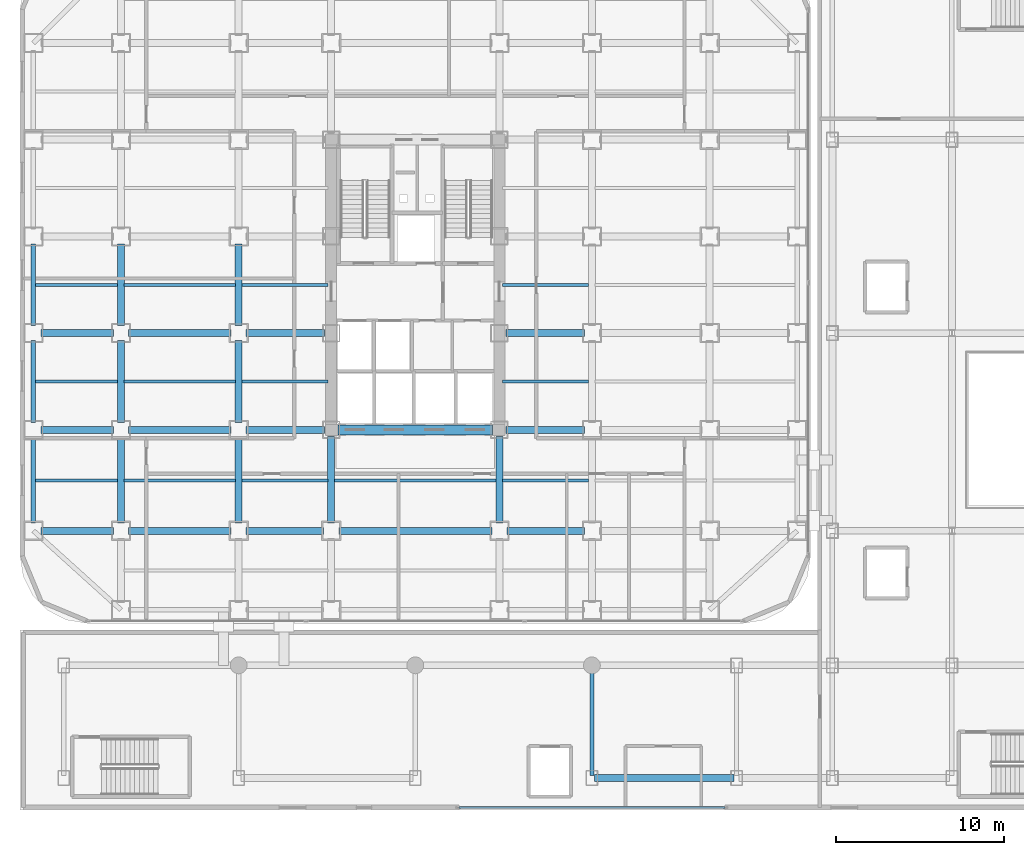
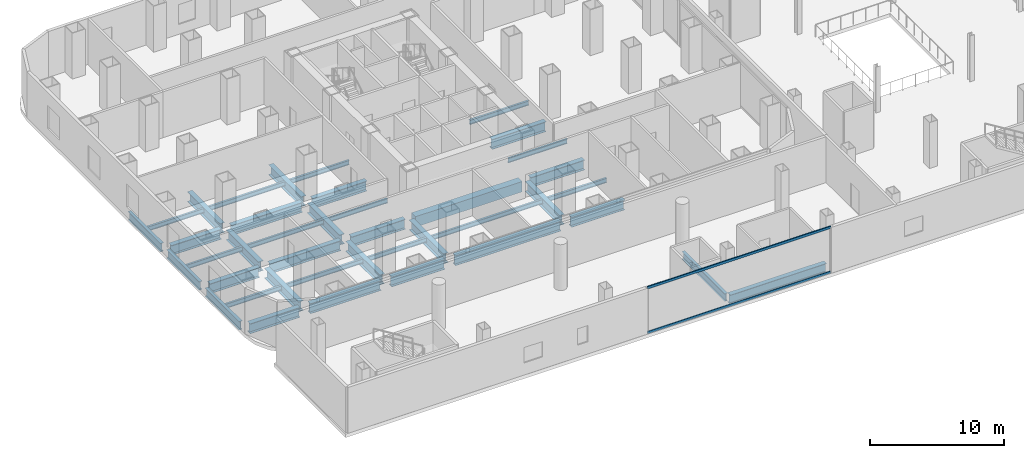
# One storey, part 9 of 26: 40 beams, 2 members, 1 element without a shape of its own.
"""IFC4 building model written with IfcOpenShell, lengths in metres."""

from ifc_helpers import new_model, si_unit, direction, frame, origin, origin_2d, place, context, subcontext, project, spatial, rectangle, hollow_rectangle, i_section, extrude, source, transform, mapped, material, layer, layer_set, material_profile, profile_set, type_object, element, aggregate, save


model = new_model("IFC4")

# Units and contexts
model_context = context("Model", 3, precision=1e-05, world=origin(), true_north=direction((0.0, 1.0)))
body_context = subcontext(model_context, "Body", "Model", "MODEL_VIEW")
ifc_project = project(units=[si_unit("LENGTHUNIT", "METRE"), si_unit("AREAUNIT", "SQUARE_METRE"), si_unit("VOLUMEUNIT", "CUBIC_METRE"), si_unit("PLANEANGLEUNIT", "RADIAN"), si_unit("MASSUNIT", "GRAM", prefix="KILO")], contexts=[model_context])

# Site, building, storey
site_placement = place(None, origin())
site = spatial("IfcSite", under=ifc_project, at=site_placement, CompositionType="ELEMENT")
building_placement = place(site_placement, origin())
building = spatial("IfcBuilding", under=site, at=building_placement, Name="Kolveth Station Tower", CompositionType="ELEMENT")
storey_placement = place(building_placement, frame((0.0, 0.0, 9.0)))
storey = spatial("IfcBuildingStorey", under=building, at=storey_placement, Name="L02", CompositionType="ELEMENT", Elevation=9.0)

# Beams
ifc_material_1 = material(Name="Steel S355", Category="steel")
ifc_material_profile_1 = material_profile(ifc_material_1, i_section(OverallWidth=0.26904296875, OverallDepth=0.77490234375, WebThickness=0.01708984375, FlangeThickness=0.0283203125, at=origin_2d()), Name="W760x220")
ifc_profile_set_1 = profile_set([ifc_material_profile_1], Name="Steel S355")
beam_type_1 = type_object("IfcBeamType", Name="Beam_SP1", PredefinedType="SPANDREL", material=ifc_profile_set_1)
shared_shape_1 = source(origin(), body_context, "Body", "SweptSolid", [
    extrude(i_section(OverallWidth=0.26904296875, OverallDepth=0.77490234375, WebThickness=0.01708984375, FlangeThickness=0.0283203125, at=origin_2d()), origin(), (0.0, 0.0, 1.0), 5.10009765625),
])
beam_1_placement = place(storey_placement, frame((0.800048828125, 5.949951171875, -0.70751953125), z_axis=(0.0, 1.0, 0.0), x_axis=(-1.0, 0.0, 0.0)))
element("IfcBeam", 1, at=beam_1_placement, inside=storey, type_object=beam_type_1, Name="L02 Perimeter Spandrel BM-L02-PW-1", PredefinedType="SPANDREL", context=body_context, shape_type="MappedRepresentation", body=[
    mapped(shared_shape_1, transform((0.0, 0.0, 0.0), x_axis=(1.0, 0.0, 0.0), y_axis=(0.0, 1.0, 0.0), z_axis=(0.0, 0.0, 1.0), scale=1.0)),
])
shared_shape_2 = source(origin(), body_context, "Body", "SweptSolid", [
    extrude(i_section(OverallWidth=0.26904296875, OverallDepth=0.77490234375, WebThickness=0.01708984375, FlangeThickness=0.0283203125, at=origin_2d()), origin(), (0.0, 0.0, 1.0), 4.85009765625),
])
for number, where, z_axis, x_axis, name in (
    (2, (0.800048828125, 11.949951171875, -0.70751953125), (0.0, 1.0, 0.0), (-1.0, 0.0, 0.0), "L02 Perimeter Spandrel BM-L02-PW-2"),
    (3, (0.800048828125, 17.699951171875, -0.70751953125), (0.0, 1.0, 0.0), (-1.0, 0.0, 0.0), "L02 Perimeter Spandrel BM-L02-PW-3"),
):
    element("IfcBeam", number, at=place(storey_placement, frame(where, z_axis=z_axis, x_axis=x_axis)), inside=storey, type_object=beam_type_1, Name=name, PredefinedType="SPANDREL", context=body_context, shape_type="MappedRepresentation", body=[
        mapped(shared_shape_2, transform((0.0, 0.0, 0.0), x_axis=(1.0, 0.0, 0.0), y_axis=(0.0, 1.0, 0.0), z_axis=(0.0, 0.0, 1.0), scale=1.0)),
    ])
ifc_material_profile_2 = material_profile(ifc_material_1, i_section(OverallWidth=0.41796875, OverallDepth=0.912109375, WebThickness=0.019287109375, FlangeThickness=0.031982421875, at=origin_2d()), Name="W920x342")
ifc_profile_set_2 = profile_set([ifc_material_profile_2], Name="Steel S355")
beam_type_2 = type_object("IfcBeamType", Name="Beam_B1", PredefinedType="BEAM", material=ifc_profile_set_2)
shared_shape_3 = source(origin(), body_context, "Body", "SweptSolid", [
    extrude(i_section(OverallWidth=0.41796875, OverallDepth=0.912109375, WebThickness=0.019287109375, FlangeThickness=0.031982421875, at=origin_2d()), origin(), (0.0, 0.0, 1.0), 4.300048828125),
])
for number, where, z_axis, x_axis, name in (
    (4, (1.25, 5.5, -0.77587890625), (1.0, 0.0, 0.0), (0.0, 1.0, 0.0), "L02 Primary Girder BM-L02-GY55-1"),
    (5, (1.25, 11.5, -0.77587890625), (1.0, 0.0, 0.0), (0.0, 1.0, 0.0), "L02 Primary Girder BM-L02-GY115-1"),
    (6, (1.25, 17.25, -0.77587890625), (1.0, 0.0, 0.0), (0.0, 1.0, 0.0), "L02 Primary Girder BM-L02-GY172-1"),
):
    element("IfcBeam", number, at=place(storey_placement, frame(where, z_axis=z_axis, x_axis=x_axis)), inside=storey, type_object=beam_type_2, Name=name, PredefinedType="BEAM", context=body_context, shape_type="MappedRepresentation", body=[
        mapped(shared_shape_3, transform((0.0, 0.0, 0.0), x_axis=(1.0, 0.0, 0.0), y_axis=(0.0, 1.0, 0.0), z_axis=(0.0, 0.0, 1.0), scale=1.0)),
    ])
shared_shape_4 = source(origin(), body_context, "Body", "SweptSolid", [
    extrude(i_section(OverallWidth=0.41796875, OverallDepth=0.912109375, WebThickness=0.019287109375, FlangeThickness=0.031982421875, at=origin_2d()), origin(), (0.0, 0.0, 1.0), 6.10009765625),
])
for number, where, z_axis, x_axis, name in (
    (7, (6.449951171875, 5.5, -0.77587890625), (1.0, 0.0, 0.0), (0.0, 1.0, 0.0), "L02 Primary Girder BM-L02-GY55-2"),
    (8, (6.449951171875, 11.5, -0.77587890625), (1.0, 0.0, 0.0), (0.0, 1.0, 0.0), "L02 Primary Girder BM-L02-GY115-2"),
    (9, (6.449951171875, 17.25, -0.77587890625), (1.0, 0.0, 0.0), (0.0, 1.0, 0.0), "L02 Primary Girder BM-L02-GY172-2"),
):
    element("IfcBeam", number, at=place(storey_placement, frame(where, z_axis=z_axis, x_axis=x_axis)), inside=storey, type_object=beam_type_2, Name=name, PredefinedType="BEAM", context=body_context, shape_type="MappedRepresentation", body=[
        mapped(shared_shape_4, transform((0.0, 0.0, 0.0), x_axis=(1.0, 0.0, 0.0), y_axis=(0.0, 1.0, 0.0), z_axis=(0.0, 0.0, 1.0), scale=1.0)),
    ])
shared_shape_5 = source(origin(), body_context, "Body", "SweptSolid", [
    extrude(i_section(OverallWidth=0.41796875, OverallDepth=0.912109375, WebThickness=0.019287109375, FlangeThickness=0.031982421875, at=origin_2d()), origin(), (0.0, 0.0, 1.0), 4.60009765625),
])
for number, where, z_axis, x_axis, name in (
    (10, (13.449951171875, 5.5, -0.77587890625), (1.0, 0.0, 0.0), (0.0, 1.0, 0.0), "L02 Primary Girder BM-L02-GY55-3"),
    (11, (28.949951171875, 5.5, -0.77587890625), (1.0, 0.0, 0.0), (0.0, 1.0, 0.0), "L02 Primary Girder BM-L02-GY55-5"),
):
    element("IfcBeam", number, at=place(storey_placement, frame(where, z_axis=z_axis, x_axis=x_axis)), inside=storey, type_object=beam_type_2, Name=name, PredefinedType="BEAM", context=body_context, shape_type="MappedRepresentation", body=[
        mapped(shared_shape_5, transform((0.0, 0.0, 0.0), x_axis=(1.0, 0.0, 0.0), y_axis=(0.0, 1.0, 0.0), z_axis=(0.0, 0.0, 1.0), scale=1.0)),
    ])
shared_shape_6 = source(origin(), body_context, "Body", "SweptSolid", [
    extrude(i_section(OverallWidth=0.41796875, OverallDepth=0.912109375, WebThickness=0.019287109375, FlangeThickness=0.031982421875, at=origin_2d()), origin(), (0.0, 0.0, 1.0), 9.10009765625),
])
beam_2_placement = place(storey_placement, frame((18.949951171875, 5.5, -0.77587890625), z_axis=(1.0, 0.0, 0.0), x_axis=(0.0, 1.0, 0.0)))
element("IfcBeam", 12, at=beam_2_placement, inside=storey, type_object=beam_type_2, Name="L02 Primary Girder BM-L02-GY55-4", PredefinedType="BEAM", context=body_context, shape_type="MappedRepresentation", body=[
    mapped(shared_shape_6, transform((0.0, 0.0, 0.0), x_axis=(1.0, 0.0, 0.0), y_axis=(0.0, 1.0, 0.0), z_axis=(0.0, 0.0, 1.0), scale=1.0)),
])
shared_shape_7 = source(origin(), body_context, "Body", "SweptSolid", [
    extrude(i_section(OverallWidth=0.41796875, OverallDepth=0.912109375, WebThickness=0.019287109375, FlangeThickness=0.031982421875, at=origin_2d()), origin(), (0.0, 0.0, 1.0), 4.650146484375),
])
for number, where, z_axis, x_axis, name in (
    (13, (13.449951171875, 11.5, -0.77587890625), (1.0, 0.0, 0.0), (0.0, 1.0, 0.0), "L02 Primary Girder BM-L02-GY115-3"),
    (14, (28.89990234375, 11.5, -0.77587890625), (1.0, 0.0, 0.0), (0.0, 1.0, 0.0), "L02 Primary Girder BM-L02-GY115-5"),
    (15, (13.449951171875, 17.25, -0.77587890625), (1.0, 0.0, 0.0), (0.0, 1.0, 0.0), "L02 Primary Girder BM-L02-GY172-3"),
    (16, (28.89990234375, 17.25, -0.77587890625), (1.0, 0.0, 0.0), (0.0, 1.0, 0.0), "L02 Primary Girder BM-L02-GY172-5"),
):
    element("IfcBeam", number, at=place(storey_placement, frame(where, z_axis=z_axis, x_axis=x_axis)), inside=storey, type_object=beam_type_2, Name=name, PredefinedType="BEAM", context=body_context, shape_type="MappedRepresentation", body=[
        mapped(shared_shape_7, transform((0.0, 0.0, 0.0), x_axis=(1.0, 0.0, 0.0), y_axis=(0.0, 1.0, 0.0), z_axis=(0.0, 0.0, 1.0), scale=1.0)),
    ])
ifc_material_2 = material(Name="Concrete C60/75", Category="concrete")
ifc_material_profile_3 = material_profile(ifc_material_2, rectangle(XDim=0.60009765625, YDim=0.949951171875, at=origin_2d()), Name="RC-600x950")
ifc_profile_set_3 = profile_set([ifc_material_profile_3], Name="Concrete C60/75")
beam_type_3 = type_object("IfcBeamType", Name="Beam_CB1", PredefinedType="BEAM", material=ifc_profile_set_3)
shared_shape_8 = source(origin(), body_context, "Body", "SweptSolid", [
    extrude(rectangle(XDim=0.60009765625, YDim=0.949951171875, at=origin_2d()), origin(), (0.0, 0.0, 1.0), 9.2001953125),
])
beam_3_placement = place(storey_placement, frame((18.89990234375, 11.5, -0.794921875), z_axis=(1.0, 0.0, 0.0), x_axis=(0.0, 1.0, 0.0)))
element("IfcBeam", 17, at=beam_3_placement, inside=storey, type_object=beam_type_3, Name="L02 Core Coupling Beam BM-L02-CB-Y115", PredefinedType="BEAM", context=body_context, shape_type="MappedRepresentation", body=[
    mapped(shared_shape_8, transform((0.0, 0.0, 0.0), x_axis=(1.0, 0.0, 0.0), y_axis=(0.0, 1.0, 0.0), z_axis=(0.0, 0.0, 1.0), scale=1.0)),
])
shared_shape_9 = source(origin(), body_context, "Body", "SweptSolid", [
    extrude(i_section(OverallWidth=0.41796875, OverallDepth=0.912109375, WebThickness=0.019287109375, FlangeThickness=0.031982421875, at=origin_2d()), origin(), (0.0, 0.0, 1.0), 5.10009765625),
])
for number, where, z_axis, x_axis, name in (
    (18, (6.0, 5.949951171875, -0.77587890625), (0.0, 1.0, 0.0), (-1.0, 0.0, 0.0), "L02 Primary Girder BM-L02-GX60-2"),
    (19, (13.0, 5.949951171875, -0.77587890625), (0.0, 1.0, 0.0), (-1.0, 0.0, 0.0), "L02 Primary Girder BM-L02-GX130-2"),
):
    element("IfcBeam", number, at=place(storey_placement, frame(where, z_axis=z_axis, x_axis=x_axis)), inside=storey, type_object=beam_type_2, Name=name, PredefinedType="BEAM", context=body_context, shape_type="MappedRepresentation", body=[
        mapped(shared_shape_9, transform((0.0, 0.0, 0.0), x_axis=(1.0, 0.0, 0.0), y_axis=(0.0, 1.0, 0.0), z_axis=(0.0, 0.0, 1.0), scale=1.0)),
    ])
shared_shape_10 = source(origin(), body_context, "Body", "SweptSolid", [
    extrude(i_section(OverallWidth=0.41796875, OverallDepth=0.912109375, WebThickness=0.019287109375, FlangeThickness=0.031982421875, at=origin_2d()), origin(), (0.0, 0.0, 1.0), 4.85009765625),
])
for number, where, z_axis, x_axis, name in (
    (20, (6.0, 11.949951171875, -0.77587890625), (0.0, 1.0, 0.0), (-1.0, 0.0, 0.0), "L02 Primary Girder BM-L02-GX60-3"),
    (21, (6.0, 17.699951171875, -0.77587890625), (0.0, 1.0, 0.0), (-1.0, 0.0, 0.0), "L02 Primary Girder BM-L02-GX60-4"),
    (22, (13.0, 11.949951171875, -0.77587890625), (0.0, 1.0, 0.0), (-1.0, 0.0, 0.0), "L02 Primary Girder BM-L02-GX130-3"),
    (23, (13.0, 17.699951171875, -0.77587890625), (0.0, 1.0, 0.0), (-1.0, 0.0, 0.0), "L02 Primary Girder BM-L02-GX130-4"),
):
    element("IfcBeam", number, at=place(storey_placement, frame(where, z_axis=z_axis, x_axis=x_axis)), inside=storey, type_object=beam_type_2, Name=name, PredefinedType="BEAM", context=body_context, shape_type="MappedRepresentation", body=[
        mapped(shared_shape_10, transform((0.0, 0.0, 0.0), x_axis=(1.0, 0.0, 0.0), y_axis=(0.0, 1.0, 0.0), z_axis=(0.0, 0.0, 1.0), scale=1.0)),
    ])
shared_shape_11 = source(origin(), body_context, "Body", "SweptSolid", [
    extrude(i_section(OverallWidth=0.41796875, OverallDepth=0.912109375, WebThickness=0.019287109375, FlangeThickness=0.031982421875, at=origin_2d()), origin(), (0.0, 0.0, 1.0), 5.150146484375),
])
for number, where, z_axis, x_axis, name in (
    (24, (18.5, 5.949951171875, -0.77587890625), (0.0, 1.0, 0.0), (-1.0, 0.0, 0.0), "L02 Primary Girder BM-L02-GX185-2"),
    (25, (28.5, 5.949951171875, -0.77587890625), (0.0, 1.0, 0.0), (-1.0, 0.0, 0.0), "L02 Primary Girder BM-L02-GX285-2"),
):
    element("IfcBeam", number, at=place(storey_placement, frame(where, z_axis=z_axis, x_axis=x_axis)), inside=storey, type_object=beam_type_2, Name=name, PredefinedType="BEAM", context=body_context, shape_type="MappedRepresentation", body=[
        mapped(shared_shape_11, transform((0.0, 0.0, 0.0), x_axis=(1.0, 0.0, 0.0), y_axis=(0.0, 1.0, 0.0), z_axis=(0.0, 0.0, 1.0), scale=1.0)),
    ])
ifc_material_profile_4 = material_profile(ifc_material_1, i_section(OverallWidth=0.177978515625, OverallDepth=0.406982421875, WebThickness=0.0078125, FlangeThickness=0.0126953125, at=origin_2d()), Name="W410x60")
ifc_profile_set_4 = profile_set([ifc_material_profile_4], Name="Steel S355")
beam_type_4 = type_object("IfcBeamType", Name="Beam_J1", PredefinedType="JOIST", material=ifc_profile_set_4)
shared_shape_12 = source(origin(), body_context, "Body", "SweptSolid", [
    extrude(i_section(OverallWidth=0.177978515625, OverallDepth=0.406982421875, WebThickness=0.0078125, FlangeThickness=0.0126953125, at=origin_2d()), origin(), (0.0, 0.0, 1.0), 4.872314453125),
])
for number, where, z_axis, x_axis, name in (
    (26, (0.9326171875, 8.5, -0.5234375), (1.0, 0.0, 0.0), (0.0, 1.0, 0.0), "L02 Secondary Joist JST-L02-1-2"),
    (27, (0.9326171875, 14.375, -0.5234375), (1.0, 0.0, 0.0), (0.0, 1.0, 0.0), "L02 Secondary Joist JST-L02-1-3"),
    (28, (0.9326171875, 20.125, -0.5234375), (1.0, 0.0, 0.0), (0.0, 1.0, 0.0), "L02 Secondary Joist JST-L02-1-4"),
):
    element("IfcBeam", number, at=place(storey_placement, frame(where, z_axis=z_axis, x_axis=x_axis)), inside=storey, type_object=beam_type_4, Name=name, PredefinedType="JOIST", context=body_context, shape_type="MappedRepresentation", body=[
        mapped(shared_shape_12, transform((0.0, 0.0, 0.0), x_axis=(1.0, 0.0, 0.0), y_axis=(0.0, 1.0, 0.0), z_axis=(0.0, 0.0, 1.0), scale=1.0)),
    ])
shared_shape_13 = source(origin(), body_context, "Body", "SweptSolid", [
    extrude(i_section(OverallWidth=0.177978515625, OverallDepth=0.406982421875, WebThickness=0.0078125, FlangeThickness=0.0126953125, at=origin_2d()), origin(), (0.0, 0.0, 1.0), 6.60986328125),
])
for number, where, z_axis, x_axis, name in (
    (29, (6.195068359375, 8.5, -0.5234375), (1.0, 0.0, 0.0), (0.0, 1.0, 0.0), "L02 Secondary Joist JST-L02-2-2"),
    (30, (6.195068359375, 14.375, -0.5234375), (1.0, 0.0, 0.0), (0.0, 1.0, 0.0), "L02 Secondary Joist JST-L02-2-3"),
    (31, (6.195068359375, 20.125, -0.5234375), (1.0, 0.0, 0.0), (0.0, 1.0, 0.0), "L02 Secondary Joist JST-L02-2-4"),
):
    element("IfcBeam", number, at=place(storey_placement, frame(where, z_axis=z_axis, x_axis=x_axis)), inside=storey, type_object=beam_type_4, Name=name, PredefinedType="JOIST", context=body_context, shape_type="MappedRepresentation", body=[
        mapped(shared_shape_13, transform((0.0, 0.0, 0.0), x_axis=(1.0, 0.0, 0.0), y_axis=(0.0, 1.0, 0.0), z_axis=(0.0, 0.0, 1.0), scale=1.0)),
    ])
shared_shape_14 = source(origin(), body_context, "Body", "SweptSolid", [
    extrude(i_section(OverallWidth=0.177978515625, OverallDepth=0.406982421875, WebThickness=0.0078125, FlangeThickness=0.0126953125, at=origin_2d()), origin(), (0.0, 0.0, 1.0), 5.10986328125),
])
for number, where, z_axis, x_axis, name in (
    (32, (13.195068359375, 8.5, -0.5234375), (1.0, 0.0, 0.0), (0.0, 1.0, 0.0), "L02 Secondary Joist JST-L02-3-2"),
    (33, (13.195068359375, 14.375, -0.5234375), (1.0, 0.0, 0.0), (0.0, 1.0, 0.0), "L02 Secondary Joist JST-L02-3-3"),
    (34, (13.195068359375, 20.125, -0.5234375), (1.0, 0.0, 0.0), (0.0, 1.0, 0.0), "L02 Secondary Joist JST-L02-3-4"),
    (35, (28.695068359375, 8.5, -0.5234375), (1.0, 0.0, 0.0), (0.0, 1.0, 0.0), "L02 Secondary Joist JST-L02-5-2"),
    (36, (28.695068359375, 14.375, -0.5234375), (1.0, 0.0, 0.0), (0.0, 1.0, 0.0), "L02 Secondary Joist JST-L02-5-3"),
    (37, (28.695068359375, 20.125, -0.5234375), (1.0, 0.0, 0.0), (0.0, 1.0, 0.0), "L02 Secondary Joist JST-L02-5-4"),
):
    element("IfcBeam", number, at=place(storey_placement, frame(where, z_axis=z_axis, x_axis=x_axis)), inside=storey, type_object=beam_type_4, Name=name, PredefinedType="JOIST", context=body_context, shape_type="MappedRepresentation", body=[
        mapped(shared_shape_14, transform((0.0, 0.0, 0.0), x_axis=(1.0, 0.0, 0.0), y_axis=(0.0, 1.0, 0.0), z_axis=(0.0, 0.0, 1.0), scale=1.0)),
    ])
shared_shape_15 = source(origin(), body_context, "Body", "SweptSolid", [
    extrude(i_section(OverallWidth=0.177978515625, OverallDepth=0.406982421875, WebThickness=0.0078125, FlangeThickness=0.0126953125, at=origin_2d()), origin(), (0.0, 0.0, 1.0), 9.60986328125),
])
beam_4_placement = place(storey_placement, frame((18.695068359375, 8.5, -0.5234375), z_axis=(1.0, 0.0, 0.0), x_axis=(0.0, 1.0, 0.0)))
element("IfcBeam", 38, at=beam_4_placement, inside=storey, type_object=beam_type_4, Name="L02 Secondary Joist JST-L02-4-2", PredefinedType="JOIST", context=body_context, shape_type="MappedRepresentation", body=[
    mapped(shared_shape_15, transform((0.0, 0.0, 0.0), x_axis=(1.0, 0.0, 0.0), y_axis=(0.0, 1.0, 0.0), z_axis=(0.0, 0.0, 1.0), scale=1.0)),
])
ifc_material_profile_5 = material_profile(ifc_material_1, i_section(OverallWidth=0.40087890625, OverallDepth=0.85107421875, WebThickness=0.01611328125, FlangeThickness=0.025390625, at=origin_2d()), Name="W840x226")
ifc_profile_set_5 = profile_set([ifc_material_profile_5], Name="Steel S355")
beam_type_5 = type_object("IfcBeamType", Name="Beam_B2", PredefinedType="BEAM", material=ifc_profile_set_5)
shared_shape_16 = source(origin(), body_context, "Body", "SweptSolid", [
    extrude(i_section(OverallWidth=0.40087890625, OverallDepth=0.85107421875, WebThickness=0.01611328125, FlangeThickness=0.025390625, at=origin_2d()), origin(), (0.0, 0.0, 1.0), 8.300048828125),
])
beam_5_placement = place(storey_placement, frame((34.14990234375, -9.199951171875, -0.74560546875), z_axis=(1.0, 0.0, 0.0), x_axis=(0.0, 1.0, 0.0)))
element("IfcBeam", 39, at=beam_5_placement, inside=storey, type_object=beam_type_5, Name="L02 Station Concourse Girder SBM-L02-SL1-4", PredefinedType="BEAM", context=body_context, shape_type="MappedRepresentation", body=[
    mapped(shared_shape_16, transform((0.0, 0.0, 0.0), x_axis=(1.0, 0.0, 0.0), y_axis=(0.0, 1.0, 0.0), z_axis=(0.0, 0.0, 1.0), scale=1.0)),
])
ifc_material_profile_6 = material_profile(ifc_material_1, i_section(OverallWidth=0.25390625, OverallDepth=0.68798828125, WebThickness=0.01318359375, FlangeThickness=0.02099609375, at=origin_2d()), Name="W690x152")
ifc_profile_set_6 = profile_set([ifc_material_profile_6], Name="Steel S355")
beam_type_6 = type_object("IfcBeamType", Name="Beam_B4", PredefinedType="BEAM", material=ifc_profile_set_6)
shared_shape_17 = source(origin(), body_context, "Body", "SweptSolid", [
    extrude(i_section(OverallWidth=0.25390625, OverallDepth=0.68798828125, WebThickness=0.01318359375, FlangeThickness=0.02099609375, at=origin_2d()), origin(), (0.0, 0.0, 1.0), 6.400146484375),
])
beam_6_placement = place(storey_placement, frame((34.0, -9.050048828125, -0.6640625), z_axis=(0.0, 1.0, 0.0), x_axis=(-1.0, 0.0, 0.0)))
element("IfcBeam", 40, at=beam_6_placement, inside=storey, type_object=beam_type_6, Name="L02 Station Transverse Beam SBM-L02-ST-4", PredefinedType="BEAM", context=body_context, shape_type="MappedRepresentation", body=[
    mapped(shared_shape_17, transform((0.0, 0.0, 0.0), x_axis=(1.0, 0.0, 0.0), y_axis=(0.0, 1.0, 0.0), z_axis=(0.0, 0.0, 1.0), scale=1.0)),
])

# Curtain wall, members
ifc_material_3 = material(Name="Black anodized aluminium 6063-T6 and clear station glass", Category="aluminium")
ifc_layer = layer(ifc_material_3, 0.239990234375)
ifc_layer_set = layer_set([ifc_layer], Name="Black anodized aluminium 6063-T6 and clear station glass")
curtain_wall_type = type_object("IfcCurtainWallType", Name="CurtainWall_CW-ST", PredefinedType="NOTDEFINED", material=ifc_layer_set)
curtain_wall_placement = place(storey_placement, origin())
curtain_wall = element("IfcCurtainWall", 41, at=curtain_wall_placement, inside=storey, type_object=curtain_wall_type, Name="L02 Station South Concourse Curtain Wall", PredefinedType="NOTDEFINED")
ifc_material_4 = material(Name="Black anodized aluminium 6063-T6", Category="aluminium")
ifc_material_profile_7 = material_profile(ifc_material_4, hollow_rectangle(XDim=0.094970703125, YDim=0.219970703125, WallThickness=0.0048828125, at=origin_2d()), Name="ALU-95x220x5")
ifc_profile_set_7 = profile_set([ifc_material_profile_7], Name="Black anodized aluminium 6063-T6")
member_type = type_object("IfcMemberType", Name="Transom_TR-ST", PredefinedType="USERDEFINED", material=ifc_profile_set_7)
shared_shape_18 = source(origin(), body_context, "Body", "SweptSolid", [
    extrude(hollow_rectangle(XDim=0.094970703125, YDim=0.219970703125, WallThickness=0.0048828125, at=origin_2d()), origin(), (0.0, 0.0, 1.0), 15.7998046875),
])
member_1_placement = place(storey_placement, frame((26.10009765625, -10.949951171875, 0.047607421875), z_axis=(1.0, 0.0, 0.0), x_axis=(0.0, 1.0, 0.0)))
member_1 = element("IfcMember", 42, at=member_1_placement, type_object=member_type, Name="CW-ST transom 1.1", ObjectType="TRANSOM", PredefinedType="USERDEFINED", context=body_context, shape_type="MappedRepresentation", body=[
    mapped(shared_shape_18, transform((0.0, 0.0, 0.0), x_axis=(1.0, 0.0, 0.0), y_axis=(0.0, 1.0, 0.0), z_axis=(0.0, 0.0, 1.0), scale=1.0)),
])
member_2_placement = place(storey_placement, frame((26.10009765625, -10.949951171875, 4.132568359375), z_axis=(1.0, 0.0, 0.0), x_axis=(0.0, 1.0, 0.0)))
member_2 = element("IfcMember", 43, at=member_2_placement, type_object=member_type, Name="CW-ST transom 1.2", ObjectType="TRANSOM", PredefinedType="USERDEFINED", context=body_context, shape_type="MappedRepresentation", body=[
    mapped(shared_shape_18, transform((0.0, 0.0, 0.0), x_axis=(1.0, 0.0, 0.0), y_axis=(0.0, 1.0, 0.0), z_axis=(0.0, 0.0, 1.0), scale=1.0)),
])
aggregate(curtain_wall, [member_1, member_2])

save(model, "model.ifc")
